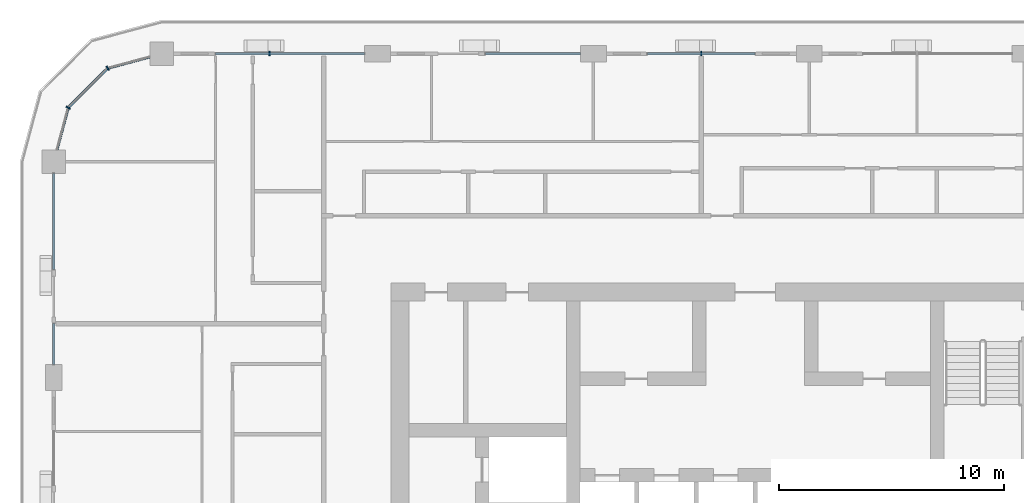
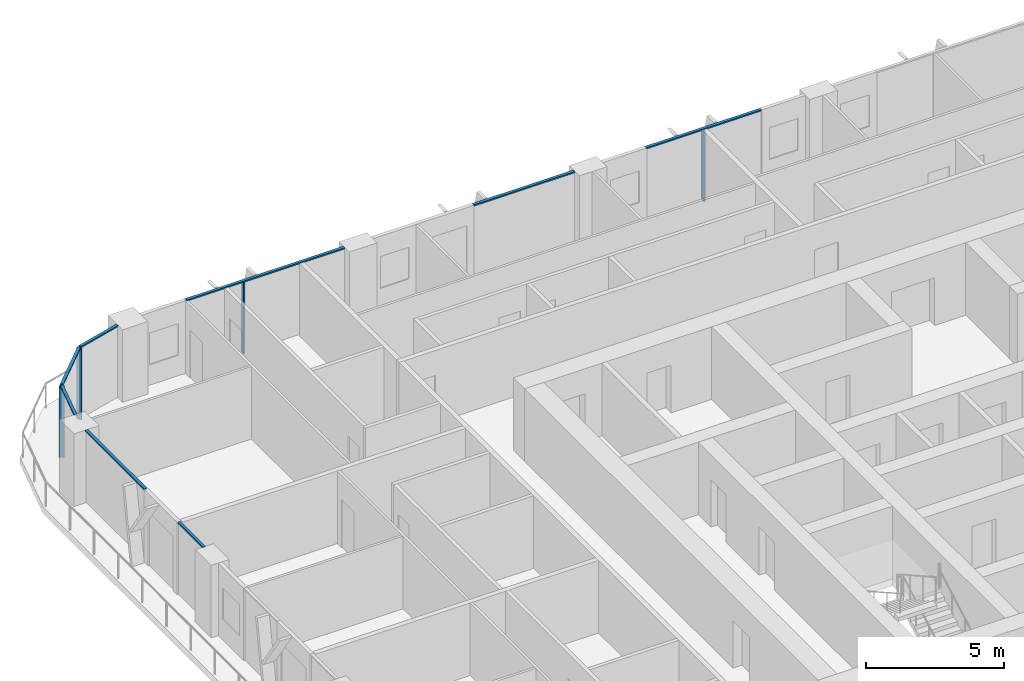
# One storey, part 5 of 22: 12 members, 5 elements without a shape of their own.
"""IFC4 building model written with IfcOpenShell, lengths in metres."""

from ifc_helpers import new_model, si_unit, direction, frame, origin, origin_2d, place, context, subcontext, project, spatial, rectangle, extrude, material, layer, layer_set, material_profile, profile_set, type_object, element, aggregate, save


model = new_model("IFC4")

# Units and contexts
model_context = context("Model", 3, precision=1e-05, world=origin(), true_north=direction((0.0, 1.0)))
body_context = subcontext(model_context, "Body", "Model", "MODEL_VIEW")
ifc_project = project(units=[si_unit("LENGTHUNIT", "METRE"), si_unit("AREAUNIT", "SQUARE_METRE"), si_unit("VOLUMEUNIT", "CUBIC_METRE"), si_unit("PLANEANGLEUNIT", "RADIAN"), si_unit("MASSUNIT", "GRAM", prefix="KILO")], contexts=[model_context])

# Site, building, storey
site_placement = place(None, origin())
site = spatial("IfcSite", under=ifc_project, at=site_placement, CompositionType="ELEMENT")
building_placement = place(site_placement, origin())
building = spatial("IfcBuilding", under=site, at=building_placement, Name="Madar Terraces", CompositionType="ELEMENT")
storey_placement = place(building_placement, frame((0.0, 0.0, 163.0)))
storey = spatial("IfcBuildingStorey", under=building, at=storey_placement, Name="L42", CompositionType="ELEMENT", Elevation=163.0)

# Curtain wall, member
ifc_material_1 = material(Name="Glass, ceramic frit dark grey, with black aluminium frame", Category="aluminium")
ifc_layer = layer(ifc_material_1, 0.199951171875)
ifc_layer_set = layer_set([ifc_layer], Name="Facade curtain wall, fritted glass")
curtain_wall_type = type_object("IfcCurtainWallType", Name="Facade curtain wall, fritted glass", PredefinedType="NOTDEFINED", material=ifc_layer_set)
curtain_wall_1_placement = place(storey_placement, origin())
curtain_wall_1 = element("IfcCurtainWall", 1, at=curtain_wall_1_placement, inside=storey, type_object=curtain_wall_type, Name="Outer skin curtain wall north bay 3", PredefinedType="NOTDEFINED")
ifc_material_2 = material(Name="Aluminium, black anodised", Category="aluminium")
ifc_material_profile_1 = material_profile(ifc_material_2, rectangle(XDim=0.199951171875, YDim=0.06005859375, at=origin_2d()), Name="Facade mullion 60x200")
ifc_profile_set_1 = profile_set([ifc_material_profile_1], Name="Aluminium, black anodised")
member_type_1 = type_object("IfcMemberType", Name="Facade mullion 60x200", PredefinedType="MULLION", material=ifc_profile_set_1)
member_1_placement = place(storey_placement, frame((28.800048828125, 48.0, 0.0), z_axis=(0.0, 0.0, 1.0), x_axis=(0.0, -1.0, 0.0)))
member_1 = element("IfcMember", 2, at=member_1_placement, type_object=member_type_1, Name="Mullion 1", PredefinedType="MULLION", context=body_context, shape_type="SweptSolid", body=[
    extrude(rectangle(XDim=0.199951171875, YDim=0.06005859375, at=origin_2d()), origin(), (0.0, 0.0, 1.0), 3.139892578125),
])

curtain_wall_2_placement = place(storey_placement, origin())
curtain_wall_2 = element("IfcCurtainWall", 3, at=curtain_wall_2_placement, inside=storey, type_object=curtain_wall_type, Name="Outer skin curtain wall north bay 5", PredefinedType="NOTDEFINED")
member_2_placement = place(storey_placement, frame((9.60009765625, 48.0, 0.0), z_axis=(0.0, 0.0, 1.0), x_axis=(0.0, -1.0, 0.0)))
member_2 = element("IfcMember", 4, at=member_2_placement, type_object=member_type_1, Name="Mullion 1", PredefinedType="MULLION", context=body_context, shape_type="SweptSolid", body=[
    extrude(rectangle(XDim=0.199951171875, YDim=0.06005859375, at=origin_2d()), origin(), (0.0, 0.0, 1.0), 3.139892578125),
])

# Curtain wall, members
curtain_wall_3_placement = place(storey_placement, origin())
curtain_wall_3 = element("IfcCurtainWall", 5, at=curtain_wall_3_placement, inside=storey, type_object=curtain_wall_type, Name="Outer skin curtain wall north-west corner", PredefinedType="NOTDEFINED")
member_3_placement = place(storey_placement, frame((2.39990234375, 47.35693359375, 0.0), z_axis=(0.0, 0.0, 1.0), x_axis=(0.499999989586, -0.866025409797, 0.0)))
member_3 = element("IfcMember", 6, at=member_3_placement, type_object=member_type_1, Name="Mullion 1", PredefinedType="MULLION", context=body_context, shape_type="SweptSolid", body=[
    extrude(rectangle(XDim=0.199951171875, YDim=0.06005859375, at=origin_2d()), origin(), (0.0, 0.0, 1.0), 3.139892578125),
])
member_4_placement = place(storey_placement, frame((0.64306640625, 45.60009765625, 0.0), z_axis=(0.0, 0.0, 1.0), x_axis=(0.866025409797, -0.499999989586, 0.0)))
member_4 = element("IfcMember", 7, at=member_4_placement, type_object=member_type_1, Name="Mullion 2", PredefinedType="MULLION", context=body_context, shape_type="SweptSolid", body=[
    extrude(rectangle(XDim=0.199951171875, YDim=0.06005859375, at=origin_2d()), origin(), (0.0, 0.0, 1.0), 3.139892578125),
])

# Member
ifc_material_3 = material(Name="Aluminium, black anodised", Category="aluminium")
ifc_material_profile_2 = material_profile(ifc_material_3, rectangle(XDim=0.1201171875, YDim=0.06005859375, at=origin_2d()), Name="Facade transom 60x120")
ifc_profile_set_2 = profile_set([ifc_material_profile_2], Name="Aluminium, black anodised")
member_type_2 = type_object("IfcMemberType", Name="Facade transom 60x120", PredefinedType="USERDEFINED", material=ifc_profile_set_2)
member_5_placement = place(storey_placement, frame((31.199951171875, 48.0, 3.169921875), z_axis=(-1.0, 0.0, 0.0), x_axis=(0.0, -1.0, 0.0)))
member_5 = element("IfcMember", 8, at=member_5_placement, type_object=member_type_2, Name="Transom 1", ObjectType="TRANSOM", PredefinedType="USERDEFINED", context=body_context, shape_type="SweptSolid", body=[
    extrude(rectangle(XDim=0.1201171875, YDim=0.06005859375, at=origin_2d()), origin(), (0.0, 0.0, 1.0), 4.800048828125),
])

aggregate(curtain_wall_1, [member_1, member_5])

# Curtain wall, member
curtain_wall_4_placement = place(storey_placement, origin())
curtain_wall_4 = element("IfcCurtainWall", 9, at=curtain_wall_4_placement, inside=storey, type_object=curtain_wall_type, Name="Outer skin curtain wall north bay 4", PredefinedType="NOTDEFINED")
member_6_placement = place(storey_placement, frame((23.425048828125, 48.0, 3.169921875), z_axis=(-1.0, 0.0, 0.0), x_axis=(0.0, -1.0, 0.0)))
member_6 = element("IfcMember", 10, at=member_6_placement, type_object=member_type_2, Name="Transom 1", ObjectType="TRANSOM", PredefinedType="USERDEFINED", context=body_context, shape_type="SweptSolid", body=[
    extrude(rectangle(XDim=0.1201171875, YDim=0.06005859375, at=origin_2d()), origin(), (0.0, 0.0, 1.0), 4.22509765625),
])
aggregate(curtain_wall_4, [member_6])

# Member
member_7_placement = place(storey_placement, frame((13.824951171875, 48.0, 3.169921875), z_axis=(-1.0, 0.0, 0.0), x_axis=(0.0, -1.0, 0.0)))
member_7 = element("IfcMember", 11, at=member_7_placement, type_object=member_type_2, Name="Transom 1", ObjectType="TRANSOM", PredefinedType="USERDEFINED", context=body_context, shape_type="SweptSolid", body=[
    extrude(rectangle(XDim=0.1201171875, YDim=0.06005859375, at=origin_2d()), origin(), (0.0, 0.0, 1.0), 6.625),
])

aggregate(curtain_wall_2, [member_2, member_7])

# Curtain wall, members
curtain_wall_5_placement = place(storey_placement, origin())
curtain_wall_5 = element("IfcCurtainWall", 12, at=curtain_wall_5_placement, inside=storey, type_object=curtain_wall_type, Name="Outer skin curtain wall west bay 1", PredefinedType="NOTDEFINED")
member_8_placement = place(storey_placement, frame((0.0, 42.675048828125, 3.169921875), z_axis=(0.0, -1.0, 0.0), x_axis=(1.0, 0.0, 0.0)))
member_8 = element("IfcMember", 13, at=member_8_placement, type_object=member_type_2, Name="Transom 1", ObjectType="TRANSOM", PredefinedType="USERDEFINED", context=body_context, shape_type="SweptSolid", body=[
    extrude(rectangle(XDim=0.1201171875, YDim=0.06005859375, at=origin_2d()), origin(), (0.0, 0.0, 1.0), 4.275146484375),
])
member_9_placement = place(storey_placement, frame((0.0, 36.0, 3.169921875), z_axis=(0.0, -1.0, 0.0), x_axis=(1.0, 0.0, 0.0)))
member_9 = element("IfcMember", 14, at=member_9_placement, type_object=member_type_2, Name="Transom 2", ObjectType="TRANSOM", PredefinedType="USERDEFINED", context=body_context, shape_type="SweptSolid", body=[
    extrude(rectangle(XDim=0.1201171875, YDim=0.06005859375, at=origin_2d()), origin(), (0.0, 0.0, 1.0), 1.824951171875),
])
aggregate(curtain_wall_5, [member_8, member_9])

# Member
member_10_placement = place(storey_placement, frame((4.27490234375, 47.859375, 3.169921875), z_axis=(-0.965924671538, -0.258823354654, 0.0), x_axis=(0.258823354654, -0.965924671538, 0.0)))
member_10 = element("IfcMember", 15, at=member_10_placement, type_object=member_type_2, Name="Transom 1", ObjectType="TRANSOM", PredefinedType="USERDEFINED", context=body_context, shape_type="SweptSolid", body=[
    extrude(rectangle(XDim=0.1201171875, YDim=0.06005859375, at=origin_2d()), origin(), (0.0, 0.0, 1.0), 1.9111328125),
])

member_11_placement = place(storey_placement, frame((2.37890625, 47.335693359375, 3.169921875), z_axis=(-0.707106781187, -0.707106781187, 0.0), x_axis=(0.707106781187, -0.707106781187, 0.0)))
member_11 = element("IfcMember", 16, at=member_11_placement, type_object=member_type_2, Name="Transom 2", ObjectType="TRANSOM", PredefinedType="USERDEFINED", context=body_context, shape_type="SweptSolid", body=[
    extrude(rectangle(XDim=0.1201171875, YDim=0.06005859375, at=origin_2d()), origin(), (0.0, 0.0, 1.0), 2.4248046875),
])

member_12_placement = place(storey_placement, frame((0.63525390625, 45.571044921875, 3.169921875), z_axis=(-0.258823354654, -0.965924671538, 0.0), x_axis=(0.965924671538, -0.258823354654, 0.0)))
member_12 = element("IfcMember", 17, at=member_12_placement, type_object=member_type_2, Name="Transom 3", ObjectType="TRANSOM", PredefinedType="USERDEFINED", context=body_context, shape_type="SweptSolid", body=[
    extrude(rectangle(XDim=0.1201171875, YDim=0.06005859375, at=origin_2d()), origin(), (0.0, 0.0, 1.0), 1.9111328125),
])

aggregate(curtain_wall_3, [member_3, member_10, member_4, member_11, member_12])

save(model, "model.ifc")
